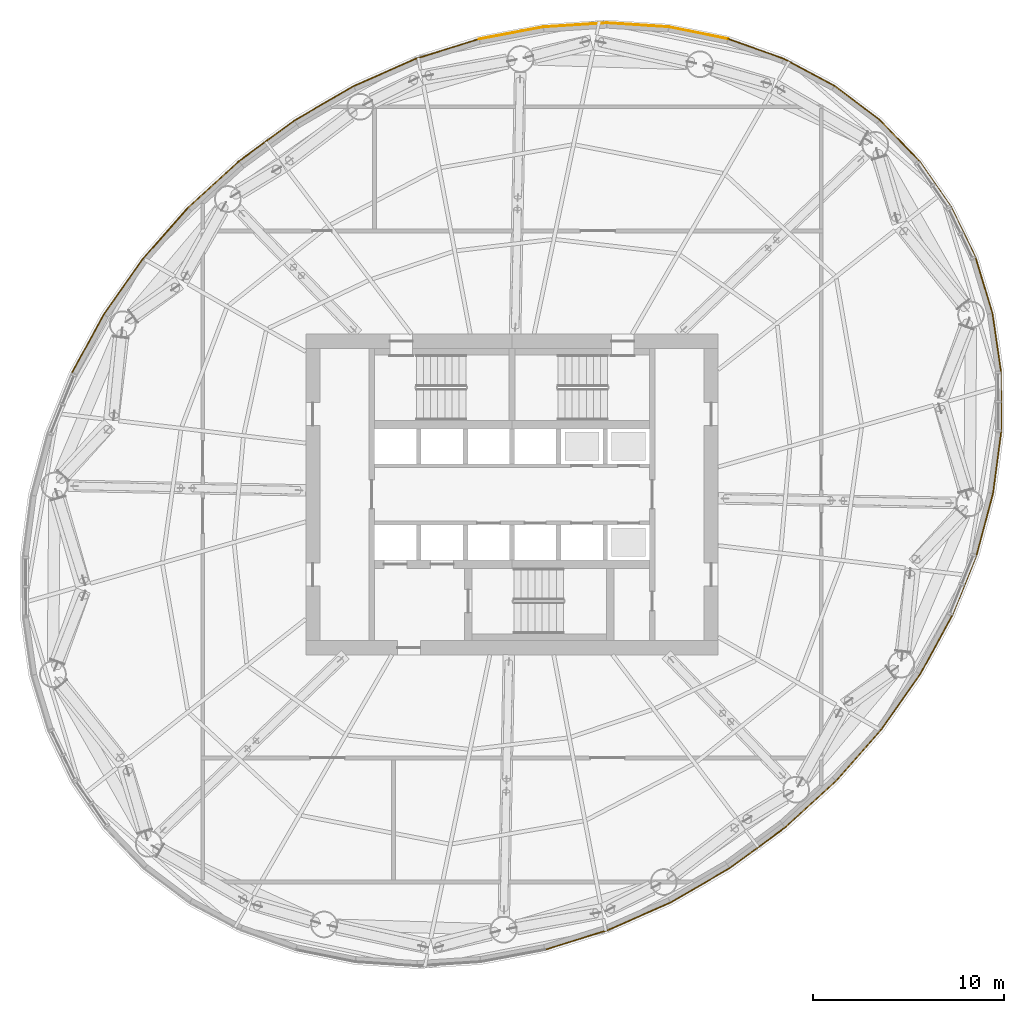
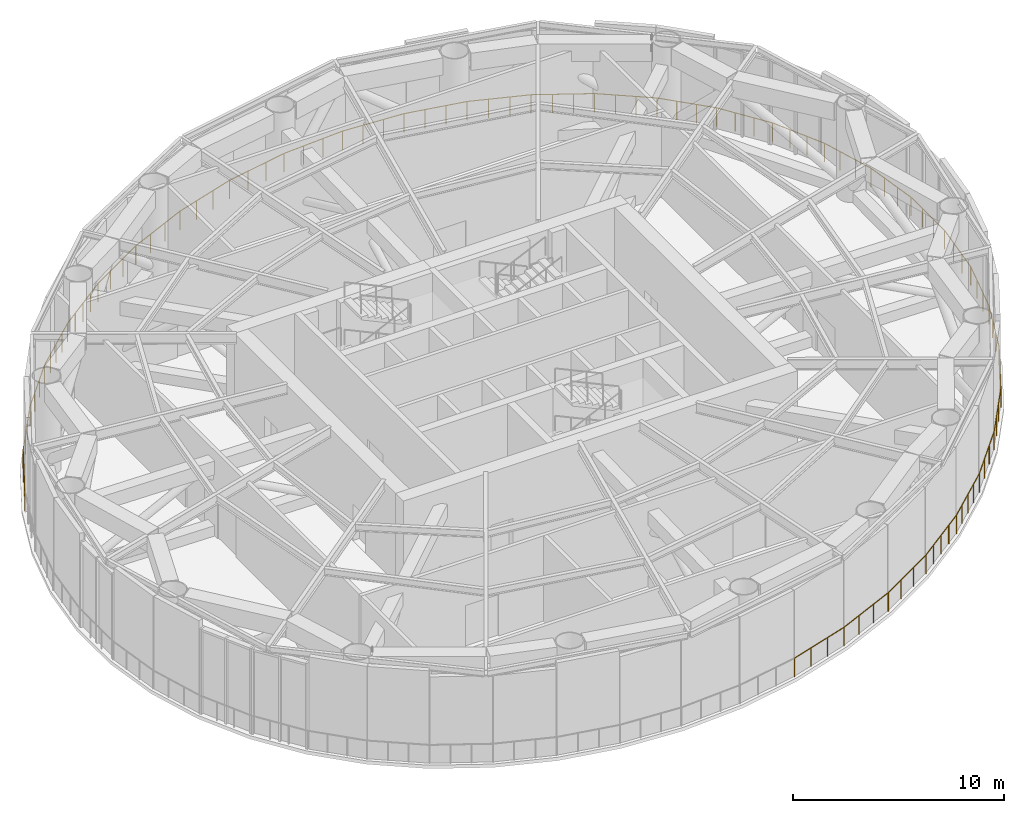
# One storey, part 18 of 19: 8 railings.
"""IFC4 building model written with IfcOpenShell, lengths in metres."""

from ifc_helpers import new_model, si_unit, direction, frame, origin, origin_2d, place, context, subcontext, project, spatial, circle, extrude, material, type_object, element, save


model = new_model("IFC4")

# Units and contexts
model_context = context("Model", 3, precision=1e-05, world=origin(), true_north=direction((0.0, 1.0)))
body_context = subcontext(model_context, "Body", "Model", "MODEL_VIEW")
ifc_project = project(units=[si_unit("LENGTHUNIT", "METRE"), si_unit("AREAUNIT", "SQUARE_METRE"), si_unit("VOLUMEUNIT", "CUBIC_METRE"), si_unit("PLANEANGLEUNIT", "RADIAN"), si_unit("MASSUNIT", "GRAM", prefix="KILO")], contexts=[model_context])

# Site, building, storey
site_placement = place(None, origin())
site = spatial("IfcSite", under=ifc_project, at=site_placement, CompositionType="ELEMENT")
building_placement = place(site_placement, origin())
building = spatial("IfcBuilding", under=site, at=building_placement, Name="Vermilion Reach Broadcast Tower", CompositionType="ELEMENT")
storey_placement = place(building_placement, frame((0.0, 0.0, 190.199951171875)))
storey = spatial("IfcBuildingStorey", under=building, at=storey_placement, Name="L46", CompositionType="ELEMENT", Elevation=190.199951171875)

# Railings
ifc_material = material(Name="Steel guardrail with stainless infill", Category="steel")
railing_type = type_object("IfcRailingType", Name="Open floor guardrail 1100", PredefinedType="GUARDRAIL", material=ifc_material)
railing_1_placement = place(storey_placement, frame((15.310791015625, 17.47998046875, 0.0)))
element("IfcRailing", 1, at=railing_1_placement, inside=storey, type_object=railing_type, Name="sp.rail.L46.00", PredefinedType="GUARDRAIL", context=body_context, shape_type="SweptSolid", body=[
    extrude(circle(Radius=0.02490234375, at=origin_2d()), frame((0.0, 0.0, 1.0751953125), z_axis=(-0.693865929366, 0.720104209171, 0.0), x_axis=(-0.720104209171, -0.693865929366, 0.0)), (0.0, 0.0, 1.0), 2.94970703125),
    extrude(circle(Radius=0.02490234375, at=origin_2d()), frame((-2.046630859375, 2.1240234375, 1.0751953125), z_axis=(-0.798668426366, 0.601771339237, 0.0), x_axis=(-0.601771339237, -0.798668426366, 0.0)), (0.0, 0.0, 1.0), 2.974609375),
    extrude(circle(Radius=0.02490234375, at=origin_2d()), frame((-4.42236328125, 3.9140625, 1.0751953125), z_axis=(-0.881826834215, 0.471573360633, 0.0), x_axis=(-0.471573360633, -0.881826834215, 0.0)), (0.0, 0.0, 1.0), 3.02197265625),
    extrude(circle(Radius=0.02490234375, at=origin_2d()), frame((-7.087158203125, 5.339111328125, 1.0751953125), z_axis=(-0.942058164653, 0.335449570592, 0.0), x_axis=(-0.335449570592, -0.942058164653, 0.0)), (0.0, 0.0, 1.0), 3.08740234375),
    extrude(circle(Radius=0.02490234375, at=origin_2d()), origin(), (0.0, 0.0, 1.0), 1.050048828125),
    extrude(circle(Radius=0.02490234375, at=origin_2d()), frame((-0.68212890625, 0.7080078125, 0.0)), (0.0, 0.0, 1.0), 1.050048828125),
    extrude(circle(Radius=0.02490234375, at=origin_2d()), frame((-1.364501953125, 1.416015625, 0.0)), (0.0, 0.0, 1.0), 1.050048828125),
    extrude(circle(Radius=0.02490234375, at=origin_2d()), frame((-2.046630859375, 2.1240234375, 0.0)), (0.0, 0.0, 1.0), 1.050048828125),
    extrude(circle(Radius=0.02490234375, at=origin_2d()), frame((-2.838623046875, 2.720703125, 0.0)), (0.0, 0.0, 1.0), 1.050048828125),
    extrude(circle(Radius=0.02490234375, at=origin_2d()), frame((-3.63037109375, 3.3173828125, 0.0)), (0.0, 0.0, 1.0), 1.050048828125),
    extrude(circle(Radius=0.02490234375, at=origin_2d()), frame((-4.42236328125, 3.9140625, 0.0)), (0.0, 0.0, 1.0), 1.050048828125),
    extrude(circle(Radius=0.02490234375, at=origin_2d()), frame((-5.310546875, 4.38916015625, 0.0)), (0.0, 0.0, 1.0), 1.050048828125),
    extrude(circle(Radius=0.02490234375, at=origin_2d()), frame((-6.198974609375, 4.864013671875, 0.0)), (0.0, 0.0, 1.0), 1.050048828125),
    extrude(circle(Radius=0.02490234375, at=origin_2d()), frame((-7.087158203125, 5.339111328125, 0.0)), (0.0, 0.0, 1.0), 1.050048828125),
    extrude(circle(Radius=0.02490234375, at=origin_2d()), frame((-8.056640625, 5.684326171875, 0.0)), (0.0, 0.0, 1.0), 1.050048828125),
    extrude(circle(Radius=0.02490234375, at=origin_2d()), frame((-9.026123046875, 6.029541015625, 0.0)), (0.0, 0.0, 1.0), 1.050048828125),
    extrude(circle(Radius=0.02490234375, at=origin_2d()), frame((-9.99560546875, 6.374755859375, 0.0)), (0.0, 0.0, 1.0), 1.050048828125),
])
railing_2_placement = place(storey_placement, frame((5.315185546875, 23.854736328125, 0.0)))
element("IfcRailing", 2, at=railing_2_placement, inside=storey, type_object=railing_type, Name="sp.rail.L46.01", PredefinedType="GUARDRAIL", context=body_context, shape_type="SweptSolid", body=[
    extrude(circle(Radius=0.02490234375, at=origin_2d()), frame((0.0, 0.0, 1.0751953125), z_axis=(-0.980103264985, 0.198488261532, 0.0), x_axis=(-0.198488261532, -0.980103264985, 0.0)), (0.0, 0.0, 1.0), 3.166015625),
    extrude(circle(Radius=0.02490234375, at=origin_2d()), frame((-3.10302734375, 0.62841796875, 1.0751953125), z_axis=(-0.997917676466, 0.064500472843, 0.0), x_axis=(-0.064500472843, -0.997917676466, 0.0)), (0.0, 0.0, 1.0), 3.25146484375),
    extrude(circle(Radius=0.02490234375, at=origin_2d()), frame((-6.34765625, 0.838134765625, 1.0751953125), z_axis=(-0.997958680357, -0.063862918044, 0.0), x_axis=(0.063862918044, -0.997958680357, 0.0)), (0.0, 0.0, 1.0), 3.33740234375),
    extrude(circle(Radius=0.02490234375, at=origin_2d()), frame((-9.67822265625, 0.625, 1.0751953125), z_axis=(-0.982758002506, -0.184896480524, 0.0), x_axis=(0.184896480524, -0.982758002506, 0.0)), (0.0, 0.0, 1.0), 3.41845703125),
    extrude(circle(Radius=0.02490234375, at=origin_2d()), origin(), (0.0, 0.0, 1.0), 1.050048828125),
    extrude(circle(Radius=0.02490234375, at=origin_2d()), frame((-1.034423828125, 0.20947265625, 0.0)), (0.0, 0.0, 1.0), 1.050048828125),
    extrude(circle(Radius=0.02490234375, at=origin_2d()), frame((-2.068603515625, 0.4189453125, 0.0)), (0.0, 0.0, 1.0), 1.050048828125),
    extrude(circle(Radius=0.02490234375, at=origin_2d()), frame((-3.10302734375, 0.62841796875, 0.0)), (0.0, 0.0, 1.0), 1.050048828125),
    extrude(circle(Radius=0.02490234375, at=origin_2d()), frame((-4.1845703125, 0.6982421875, 0.0)), (0.0, 0.0, 1.0), 1.050048828125),
    extrude(circle(Radius=0.02490234375, at=origin_2d()), frame((-5.26611328125, 0.768310546875, 0.0)), (0.0, 0.0, 1.0), 1.050048828125),
    extrude(circle(Radius=0.02490234375, at=origin_2d()), frame((-6.34765625, 0.838134765625, 0.0)), (0.0, 0.0, 1.0), 1.050048828125),
    extrude(circle(Radius=0.02490234375, at=origin_2d()), frame((-7.457763671875, 0.76708984375, 0.0)), (0.0, 0.0, 1.0), 1.050048828125),
    extrude(circle(Radius=0.02490234375, at=origin_2d()), frame((-8.568115234375, 0.696044921875, 0.0)), (0.0, 0.0, 1.0), 1.050048828125),
    extrude(circle(Radius=0.02490234375, at=origin_2d()), frame((-9.67822265625, 0.625, 0.0)), (0.0, 0.0, 1.0), 1.050048828125),
    extrude(circle(Radius=0.02490234375, at=origin_2d()), frame((-10.798095703125, 0.414306640625, 0.0)), (0.0, 0.0, 1.0), 1.050048828125),
    extrude(circle(Radius=0.02490234375, at=origin_2d()), frame((-11.91796875, 0.20361328125, 0.0)), (0.0, 0.0, 1.0), 1.050048828125),
    extrude(circle(Radius=0.02490234375, at=origin_2d()), frame((-13.037841796875, -0.007080078125, 0.0)), (0.0, 0.0, 1.0), 1.050048828125),
])
railing_3_placement = place(storey_placement, frame((-7.72265625, 23.84765625, 0.0)))
element("IfcRailing", 3, at=railing_3_placement, inside=storey, type_object=railing_type, Name="sp.rail.L46.02", PredefinedType="GUARDRAIL", context=body_context, shape_type="SweptSolid", body=[
    extrude(circle(Radius=0.02490234375, at=origin_2d()), frame((0.0, 0.0, 1.0751953125), z_axis=(-0.954456319806, -0.298350688927, 0.0), x_axis=(0.298350688927, -0.954456319806, 0.0)), (0.0, 0.0, 1.0), 3.4892578125),
    extrude(circle(Radius=0.02490234375, at=origin_2d()), frame((-3.330322265625, -1.041015625, 1.0751953125), z_axis=(-0.914861710936, -0.403767321442, 0.0), x_axis=(0.403767321442, -0.914861710936, 0.0)), (0.0, 0.0, 1.0), 3.54638671875),
    extrude(circle(Radius=0.02490234375, at=origin_2d()), frame((-6.57470703125, -2.472900390625, 1.0751953125), z_axis=(-0.865121591587, -0.501562191329, 0.0), x_axis=(0.501562191329, -0.865121591587, 0.0)), (0.0, 0.0, 1.0), 3.5859375),
    extrude(circle(Radius=0.02490234375, at=origin_2d()), frame((-9.677001953125, -4.271484375, 1.0751953125), z_axis=(-0.806075578649, -0.591812606748, 0.0), x_axis=(0.591812606748, -0.806075578649, 0.0)), (0.0, 0.0, 1.0), 3.6064453125),
    extrude(circle(Radius=0.02490234375, at=origin_2d()), origin(), (0.0, 0.0, 1.0), 1.050048828125),
    extrude(circle(Radius=0.02490234375, at=origin_2d()), frame((-1.110107421875, -0.346923828125, 0.0)), (0.0, 0.0, 1.0), 1.050048828125),
    extrude(circle(Radius=0.02490234375, at=origin_2d()), frame((-2.22021484375, -0.694091796875, 0.0)), (0.0, 0.0, 1.0), 1.050048828125),
    extrude(circle(Radius=0.02490234375, at=origin_2d()), frame((-3.330322265625, -1.041015625, 0.0)), (0.0, 0.0, 1.0), 1.050048828125),
    extrude(circle(Radius=0.02490234375, at=origin_2d()), frame((-4.411865234375, -1.518310546875, 0.0)), (0.0, 0.0, 1.0), 1.050048828125),
    extrude(circle(Radius=0.02490234375, at=origin_2d()), frame((-5.4931640625, -1.99560546875, 0.0)), (0.0, 0.0, 1.0), 1.050048828125),
    extrude(circle(Radius=0.02490234375, at=origin_2d()), frame((-6.57470703125, -2.472900390625, 0.0)), (0.0, 0.0, 1.0), 1.050048828125),
    extrude(circle(Radius=0.02490234375, at=origin_2d()), frame((-7.60888671875, -3.072509765625, 0.0)), (0.0, 0.0, 1.0), 1.050048828125),
    extrude(circle(Radius=0.02490234375, at=origin_2d()), frame((-8.642822265625, -3.671875, 0.0)), (0.0, 0.0, 1.0), 1.050048828125),
    extrude(circle(Radius=0.02490234375, at=origin_2d()), frame((-9.677001953125, -4.271484375, 0.0)), (0.0, 0.0, 1.0), 1.050048828125),
    extrude(circle(Radius=0.02490234375, at=origin_2d()), frame((-10.40380859375, -4.80517578125, 0.0)), (0.0, 0.0, 1.0), 1.050048828125),
    extrude(circle(Radius=0.02490234375, at=origin_2d()), frame((-11.13037109375, -5.338623046875, 0.0)), (0.0, 0.0, 1.0), 1.050048828125),
    extrude(circle(Radius=0.02490234375, at=origin_2d()), frame((-11.857177734375, -5.8720703125, 0.0)), (0.0, 0.0, 1.0), 1.050048828125),
    extrude(circle(Radius=0.02490234375, at=origin_2d()), frame((-12.583984375, -6.40576171875, 0.0)), (0.0, 0.0, 1.0), 1.050048828125),
])
railing_4_placement = place(storey_placement, frame((-20.306640625, 17.44189453125, 0.0)))
element("IfcRailing", 4, at=railing_4_placement, inside=storey, type_object=railing_type, Name="sp.rail.L46.03", PredefinedType="GUARDRAIL", context=body_context, shape_type="SweptSolid", body=[
    extrude(circle(Radius=0.02490234375, at=origin_2d()), frame((0.0, 0.0, 1.0751953125), z_axis=(-0.738047113456, -0.674749181785, 0.0), x_axis=(0.674749181785, -0.738047113456, 0.0)), (0.0, 0.0, 1.0), 3.606201171875),
    extrude(circle(Radius=0.02490234375, at=origin_2d()), frame((-2.66162109375, -2.433349609375, 1.0751953125), z_axis=(-0.661103557807, -0.750294666018, 0.0), x_axis=(0.750294666018, -0.661103557807, 0.0)), (0.0, 0.0, 1.0), 3.5859375),
    extrude(circle(Radius=0.02490234375, at=origin_2d()), frame((-5.0322265625, -5.123779296875, 1.0751953125), z_axis=(-0.574916867799, -0.81821182778, 0.0), x_axis=(0.81821182778, -0.574916867799, 0.0)), (0.0, 0.0, 1.0), 3.54638671875),
    extrude(circle(Radius=0.02490234375, at=origin_2d()), frame((-7.071044921875, -8.025390625, 1.0751953125), z_axis=(-0.479273659809, -0.877665516591, 0.0), x_axis=(0.877665516591, -0.479273659809, 0.0)), (0.0, 0.0, 1.0), 3.4892578125),
    extrude(circle(Radius=0.02490234375, at=origin_2d()), origin(), (0.0, 0.0, 1.0), 1.050048828125),
    extrude(circle(Radius=0.02490234375, at=origin_2d()), frame((-0.66552734375, -0.6083984375, 0.0)), (0.0, 0.0, 1.0), 1.050048828125),
    extrude(circle(Radius=0.02490234375, at=origin_2d()), frame((-1.330810546875, -1.216796875, 0.0)), (0.0, 0.0, 1.0), 1.050048828125),
    extrude(circle(Radius=0.02490234375, at=origin_2d()), frame((-1.99609375, -1.824951171875, 0.0)), (0.0, 0.0, 1.0), 1.050048828125),
    extrude(circle(Radius=0.02490234375, at=origin_2d()), frame((-2.66162109375, -2.433349609375, 0.0)), (0.0, 0.0, 1.0), 1.050048828125),
    extrude(circle(Radius=0.02490234375, at=origin_2d()), frame((-3.451904296875, -3.330078125, 0.0)), (0.0, 0.0, 1.0), 1.050048828125),
    extrude(circle(Radius=0.02490234375, at=origin_2d()), frame((-4.241943359375, -4.22705078125, 0.0)), (0.0, 0.0, 1.0), 1.050048828125),
    extrude(circle(Radius=0.02490234375, at=origin_2d()), frame((-5.0322265625, -5.123779296875, 0.0)), (0.0, 0.0, 1.0), 1.050048828125),
    extrude(circle(Radius=0.02490234375, at=origin_2d()), frame((-5.7119140625, -6.091064453125, 0.0)), (0.0, 0.0, 1.0), 1.050048828125),
    extrude(circle(Radius=0.02490234375, at=origin_2d()), frame((-6.391357421875, -7.05810546875, 0.0)), (0.0, 0.0, 1.0), 1.050048828125),
    extrude(circle(Radius=0.02490234375, at=origin_2d()), frame((-7.071044921875, -8.025390625, 0.0)), (0.0, 0.0, 1.0), 1.050048828125),
    extrude(circle(Radius=0.02490234375, at=origin_2d()), frame((-7.62841796875, -9.046142578125, 0.0)), (0.0, 0.0, 1.0), 1.050048828125),
    extrude(circle(Radius=0.02490234375, at=origin_2d()), frame((-8.18603515625, -10.067138671875, 0.0)), (0.0, 0.0, 1.0), 1.050048828125),
    extrude(circle(Radius=0.02490234375, at=origin_2d()), frame((-8.743408203125, -11.087890625, 0.0)), (0.0, 0.0, 1.0), 1.050048828125),
])
railing_5_placement = place(storey_placement, frame((-4.27734375, -23.84765625, 0.0)))
element("IfcRailing", 5, at=railing_5_placement, inside=storey, type_object=railing_type, Name="sp.rail.L46.08", PredefinedType="GUARDRAIL", context=body_context, shape_type="SweptSolid", body=[
    extrude(circle(Radius=0.02490234375, at=origin_2d()), frame((0.0, 0.0, 1.0751953125), z_axis=(0.954456319806, 0.298350688927, 0.0), x_axis=(-0.298350688927, 0.954456319806, 0.0)), (0.0, 0.0, 1.0), 3.4892578125),
    extrude(circle(Radius=0.02490234375, at=origin_2d()), frame((3.330322265625, 1.041015625, 1.0751953125), z_axis=(0.914861710936, 0.403767321442, 0.0), x_axis=(-0.403767321442, 0.914861710936, 0.0)), (0.0, 0.0, 1.0), 3.54638671875),
    extrude(circle(Radius=0.02490234375, at=origin_2d()), frame((6.57470703125, 2.472900390625, 1.0751953125), z_axis=(0.865121591587, 0.501562191329, 0.0), x_axis=(-0.501562191329, 0.865121591587, 0.0)), (0.0, 0.0, 1.0), 3.5859375),
    extrude(circle(Radius=0.02490234375, at=origin_2d()), frame((9.677001953125, 4.271484375, 1.0751953125), z_axis=(0.806075578649, 0.591812606748, 0.0), x_axis=(-0.591812606748, 0.806075578649, 0.0)), (0.0, 0.0, 1.0), 3.6064453125),
    extrude(circle(Radius=0.02490234375, at=origin_2d()), origin(), (0.0, 0.0, 1.0), 1.050048828125),
    extrude(circle(Radius=0.02490234375, at=origin_2d()), frame((1.110107421875, 0.346923828125, 0.0)), (0.0, 0.0, 1.0), 1.050048828125),
    extrude(circle(Radius=0.02490234375, at=origin_2d()), frame((2.22021484375, 0.694091796875, 0.0)), (0.0, 0.0, 1.0), 1.050048828125),
    extrude(circle(Radius=0.02490234375, at=origin_2d()), frame((3.330322265625, 1.041015625, 0.0)), (0.0, 0.0, 1.0), 1.050048828125),
    extrude(circle(Radius=0.02490234375, at=origin_2d()), frame((4.411865234375, 1.518310546875, 0.0)), (0.0, 0.0, 1.0), 1.050048828125),
    extrude(circle(Radius=0.02490234375, at=origin_2d()), frame((5.4931640625, 1.99560546875, 0.0)), (0.0, 0.0, 1.0), 1.050048828125),
    extrude(circle(Radius=0.02490234375, at=origin_2d()), frame((6.57470703125, 2.472900390625, 0.0)), (0.0, 0.0, 1.0), 1.050048828125),
    extrude(circle(Radius=0.02490234375, at=origin_2d()), frame((7.60888671875, 3.072509765625, 0.0)), (0.0, 0.0, 1.0), 1.050048828125),
    extrude(circle(Radius=0.02490234375, at=origin_2d()), frame((8.642822265625, 3.671875, 0.0)), (0.0, 0.0, 1.0), 1.050048828125),
    extrude(circle(Radius=0.02490234375, at=origin_2d()), frame((9.677001953125, 4.271484375, 0.0)), (0.0, 0.0, 1.0), 1.050048828125),
    extrude(circle(Radius=0.02490234375, at=origin_2d()), frame((10.40380859375, 4.80517578125, 0.0)), (0.0, 0.0, 1.0), 1.050048828125),
    extrude(circle(Radius=0.02490234375, at=origin_2d()), frame((11.13037109375, 5.338623046875, 0.0)), (0.0, 0.0, 1.0), 1.050048828125),
    extrude(circle(Radius=0.02490234375, at=origin_2d()), frame((11.857177734375, 5.8720703125, 0.0)), (0.0, 0.0, 1.0), 1.050048828125),
    extrude(circle(Radius=0.02490234375, at=origin_2d()), frame((12.583984375, 6.40576171875, 0.0)), (0.0, 0.0, 1.0), 1.050048828125),
])
railing_6_placement = place(storey_placement, frame((8.306640625, -17.44189453125, 0.0)))
element("IfcRailing", 6, at=railing_6_placement, inside=storey, type_object=railing_type, Name="sp.rail.L46.09", PredefinedType="GUARDRAIL", context=body_context, shape_type="SweptSolid", body=[
    extrude(circle(Radius=0.02490234375, at=origin_2d()), frame((0.0, 0.0, 1.0751953125), z_axis=(0.738047113456, 0.674749181785, 0.0), x_axis=(-0.674749181785, 0.738047113456, 0.0)), (0.0, 0.0, 1.0), 3.606201171875),
    extrude(circle(Radius=0.02490234375, at=origin_2d()), frame((2.66162109375, 2.433349609375, 1.0751953125), z_axis=(0.661103557807, 0.750294666018, 0.0), x_axis=(-0.750294666018, 0.661103557807, 0.0)), (0.0, 0.0, 1.0), 3.5859375),
    extrude(circle(Radius=0.02490234375, at=origin_2d()), frame((5.0322265625, 5.123779296875, 1.0751953125), z_axis=(0.574916867799, 0.81821182778, 0.0), x_axis=(-0.81821182778, 0.574916867799, 0.0)), (0.0, 0.0, 1.0), 3.54638671875),
    extrude(circle(Radius=0.02490234375, at=origin_2d()), frame((7.071044921875, 8.025390625, 1.0751953125), z_axis=(0.479273659809, 0.877665516591, 0.0), x_axis=(-0.877665516591, 0.479273659809, 0.0)), (0.0, 0.0, 1.0), 3.4892578125),
    extrude(circle(Radius=0.02490234375, at=origin_2d()), origin(), (0.0, 0.0, 1.0), 1.050048828125),
    extrude(circle(Radius=0.02490234375, at=origin_2d()), frame((0.66552734375, 0.6083984375, 0.0)), (0.0, 0.0, 1.0), 1.050048828125),
    extrude(circle(Radius=0.02490234375, at=origin_2d()), frame((1.330810546875, 1.216796875, 0.0)), (0.0, 0.0, 1.0), 1.050048828125),
    extrude(circle(Radius=0.02490234375, at=origin_2d()), frame((1.99609375, 1.824951171875, 0.0)), (0.0, 0.0, 1.0), 1.050048828125),
    extrude(circle(Radius=0.02490234375, at=origin_2d()), frame((2.66162109375, 2.433349609375, 0.0)), (0.0, 0.0, 1.0), 1.050048828125),
    extrude(circle(Radius=0.02490234375, at=origin_2d()), frame((3.451904296875, 3.330078125, 0.0)), (0.0, 0.0, 1.0), 1.050048828125),
    extrude(circle(Radius=0.02490234375, at=origin_2d()), frame((4.241943359375, 4.22705078125, 0.0)), (0.0, 0.0, 1.0), 1.050048828125),
    extrude(circle(Radius=0.02490234375, at=origin_2d()), frame((5.0322265625, 5.123779296875, 0.0)), (0.0, 0.0, 1.0), 1.050048828125),
    extrude(circle(Radius=0.02490234375, at=origin_2d()), frame((5.7119140625, 6.091064453125, 0.0)), (0.0, 0.0, 1.0), 1.050048828125),
    extrude(circle(Radius=0.02490234375, at=origin_2d()), frame((6.391357421875, 7.05810546875, 0.0)), (0.0, 0.0, 1.0), 1.050048828125),
    extrude(circle(Radius=0.02490234375, at=origin_2d()), frame((7.071044921875, 8.025390625, 0.0)), (0.0, 0.0, 1.0), 1.050048828125),
    extrude(circle(Radius=0.02490234375, at=origin_2d()), frame((7.62841796875, 9.046142578125, 0.0)), (0.0, 0.0, 1.0), 1.050048828125),
    extrude(circle(Radius=0.02490234375, at=origin_2d()), frame((8.18603515625, 10.067138671875, 0.0)), (0.0, 0.0, 1.0), 1.050048828125),
    extrude(circle(Radius=0.02490234375, at=origin_2d()), frame((8.743408203125, 11.087890625, 0.0)), (0.0, 0.0, 1.0), 1.050048828125),
])
railing_7_placement = place(storey_placement, frame((17.050048828125, -6.35400390625, 0.0)))
element("IfcRailing", 7, at=railing_7_placement, inside=storey, type_object=railing_type, Name="sp.rail.L46.10", PredefinedType="GUARDRAIL", context=body_context, shape_type="SweptSolid", body=[
    extrude(circle(Radius=0.02490234375, at=origin_2d()), frame((0.0, 0.0, 1.0751953125), z_axis=(0.373593773767, 0.927592417068, 0.0), x_axis=(-0.927592417068, 0.373593773767, 0.0)), (0.0, 0.0, 1.0), 3.41845703125),
    extrude(circle(Radius=0.02490234375, at=origin_2d()), frame((1.277099609375, 3.1708984375, 1.0751953125), z_axis=(0.25779013436, 0.966200934913, 0.0), x_axis=(-0.966200934913, 0.25779013436, 0.0)), (0.0, 0.0, 1.0), 3.33740234375),
    extrude(circle(Radius=0.02490234375, at=origin_2d()), frame((2.137451171875, 6.3955078125, 1.0751953125), z_axis=(0.131932545251, 0.991258696559, 0.0), x_axis=(-0.991258696559, 0.131932545251, 0.0)), (0.0, 0.0, 1.0), 3.251220703125),
    extrude(circle(Radius=0.02490234375, at=origin_2d()), frame((2.56640625, 9.618408203125, 1.0751953125), z_axis=(-0.002853165438, 0.999995929715, 0.0), x_axis=(-0.999995929715, -0.002853165438, 0.0)), (0.0, 0.0, 1.0), 3.166015625),
    extrude(circle(Radius=0.02490234375, at=origin_2d()), origin(), (0.0, 0.0, 1.0), 1.050048828125),
    extrude(circle(Radius=0.02490234375, at=origin_2d()), frame((0.42578125, 1.056884765625, 0.0)), (0.0, 0.0, 1.0), 1.050048828125),
    extrude(circle(Radius=0.02490234375, at=origin_2d()), frame((0.851318359375, 2.114013671875, 0.0)), (0.0, 0.0, 1.0), 1.050048828125),
    extrude(circle(Radius=0.02490234375, at=origin_2d()), frame((1.277099609375, 3.1708984375, 0.0)), (0.0, 0.0, 1.0), 1.050048828125),
    extrude(circle(Radius=0.02490234375, at=origin_2d()), frame((1.56396484375, 4.245849609375, 0.0)), (0.0, 0.0, 1.0), 1.050048828125),
    extrude(circle(Radius=0.02490234375, at=origin_2d()), frame((1.8505859375, 5.320556640625, 0.0)), (0.0, 0.0, 1.0), 1.050048828125),
    extrude(circle(Radius=0.02490234375, at=origin_2d()), frame((2.137451171875, 6.3955078125, 0.0)), (0.0, 0.0, 1.0), 1.050048828125),
    extrude(circle(Radius=0.02490234375, at=origin_2d()), frame((2.280517578125, 7.4697265625, 0.0)), (0.0, 0.0, 1.0), 1.050048828125),
    extrude(circle(Radius=0.02490234375, at=origin_2d()), frame((2.42333984375, 8.544189453125, 0.0)), (0.0, 0.0, 1.0), 1.050048828125),
    extrude(circle(Radius=0.02490234375, at=origin_2d()), frame((2.56640625, 9.618408203125, 0.0)), (0.0, 0.0, 1.0), 1.050048828125),
    extrude(circle(Radius=0.02490234375, at=origin_2d()), frame((2.5634765625, 10.673828125, 0.0)), (0.0, 0.0, 1.0), 1.050048828125),
    extrude(circle(Radius=0.02490234375, at=origin_2d()), frame((2.560302734375, 11.72900390625, 0.0)), (0.0, 0.0, 1.0), 1.050048828125),
    extrude(circle(Radius=0.02490234375, at=origin_2d()), frame((2.557373046875, 12.784423828125, 0.0)), (0.0, 0.0, 1.0), 1.050048828125),
])
railing_8_placement = place(storey_placement, frame((19.607421875, 6.430419921875, 0.0)))
element("IfcRailing", 8, at=railing_8_placement, inside=storey, type_object=railing_type, Name="sp.rail.L46.11", PredefinedType="GUARDRAIL", context=body_context, shape_type="SweptSolid", body=[
    extrude(circle(Radius=0.02490234375, at=origin_2d()), frame((0.0, 0.0, 1.0751953125), z_axis=(-0.144697222494, 0.989475979396, 0.0), x_axis=(-0.989475979396, -0.144697222494, 0.0)), (0.0, 0.0, 1.0), 3.087646484375),
    extrude(circle(Radius=0.02490234375, at=origin_2d()), frame((-0.44677734375, 3.05517578125, 1.0751953125), z_axis=(-0.290052243045, 0.957010813055, 0.0), x_axis=(-0.957010813055, -0.290052243045, 0.0)), (0.0, 0.0, 1.0), 3.021728515625),
    extrude(circle(Radius=0.02490234375, at=origin_2d()), frame((-1.3232421875, 5.947021484375, 1.0751953125), z_axis=(-0.433867442735, 0.900976715645, 0.0), x_axis=(-0.900976715645, -0.433867442735, 0.0)), (0.0, 0.0, 1.0), 2.974365234375),
    extrude(circle(Radius=0.02490234375, at=origin_2d()), frame((-2.61376953125, 8.626953125, 1.0751953125), z_axis=(-0.57050903166, 0.821291327602, 0.0), x_axis=(-0.821291327602, -0.57050903166, 0.0)), (0.0, 0.0, 1.0), 2.94970703125),
    extrude(circle(Radius=0.02490234375, at=origin_2d()), origin(), (0.0, 0.0, 1.0), 1.050048828125),
    extrude(circle(Radius=0.02490234375, at=origin_2d()), frame((-0.14892578125, 1.018310546875, 0.0)), (0.0, 0.0, 1.0), 1.050048828125),
    extrude(circle(Radius=0.02490234375, at=origin_2d()), frame((-0.2978515625, 2.036865234375, 0.0)), (0.0, 0.0, 1.0), 1.050048828125),
    extrude(circle(Radius=0.02490234375, at=origin_2d()), frame((-0.44677734375, 3.05517578125, 0.0)), (0.0, 0.0, 1.0), 1.050048828125),
    extrude(circle(Radius=0.02490234375, at=origin_2d()), frame((-0.739013671875, 4.01904296875, 0.0)), (0.0, 0.0, 1.0), 1.050048828125),
    extrude(circle(Radius=0.02490234375, at=origin_2d()), frame((-1.031005859375, 4.983154296875, 0.0)), (0.0, 0.0, 1.0), 1.050048828125),
    extrude(circle(Radius=0.02490234375, at=origin_2d()), frame((-1.3232421875, 5.947021484375, 0.0)), (0.0, 0.0, 1.0), 1.050048828125),
    extrude(circle(Radius=0.02490234375, at=origin_2d()), frame((-1.75341796875, 6.84033203125, 0.0)), (0.0, 0.0, 1.0), 1.050048828125),
    extrude(circle(Radius=0.02490234375, at=origin_2d()), frame((-2.18359375, 7.733642578125, 0.0)), (0.0, 0.0, 1.0), 1.050048828125),
    extrude(circle(Radius=0.02490234375, at=origin_2d()), frame((-2.61376953125, 8.626953125, 0.0)), (0.0, 0.0, 1.0), 1.050048828125),
    extrude(circle(Radius=0.02490234375, at=origin_2d()), frame((-3.1748046875, 9.4345703125, 0.0)), (0.0, 0.0, 1.0), 1.050048828125),
    extrude(circle(Radius=0.02490234375, at=origin_2d()), frame((-3.735595703125, 10.241943359375, 0.0)), (0.0, 0.0, 1.0), 1.050048828125),
    extrude(circle(Radius=0.02490234375, at=origin_2d()), frame((-4.296630859375, 11.049560546875, 0.0)), (0.0, 0.0, 1.0), 1.050048828125),
])

save(model, "model.ifc")
